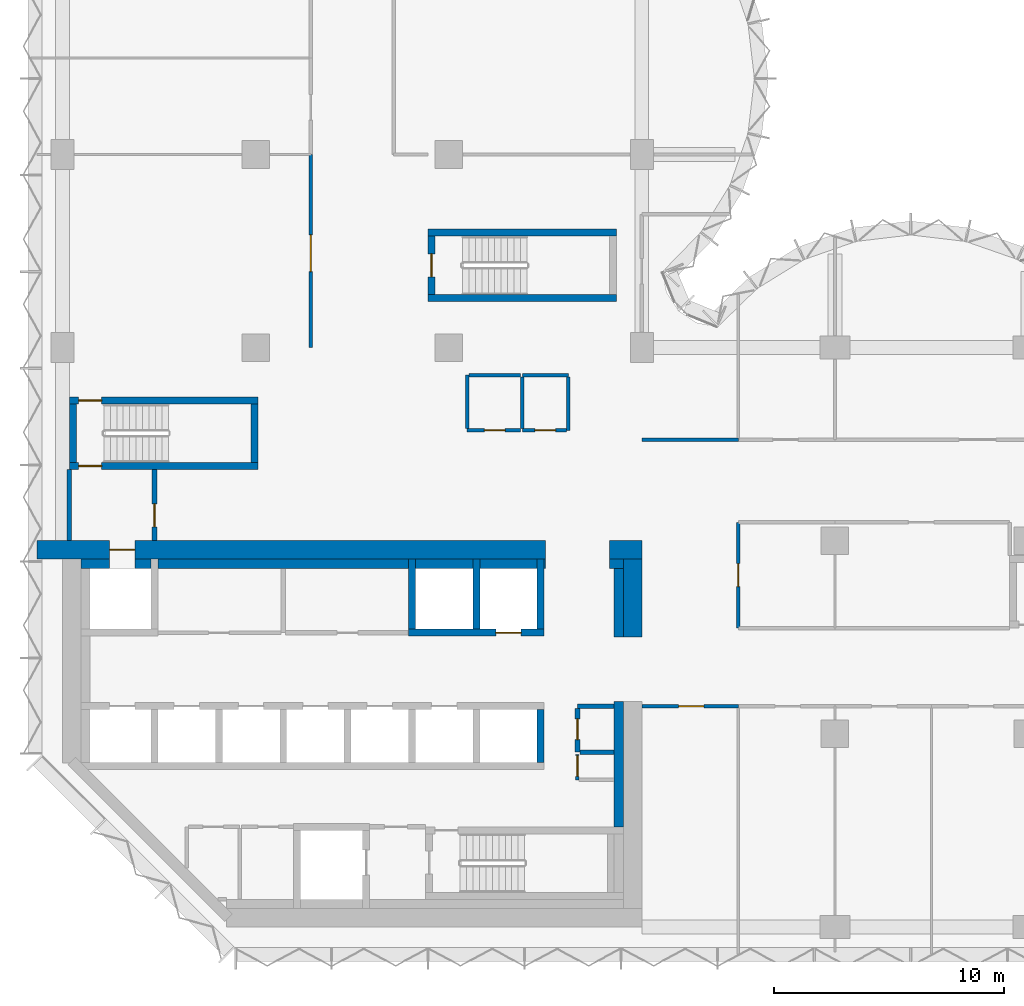
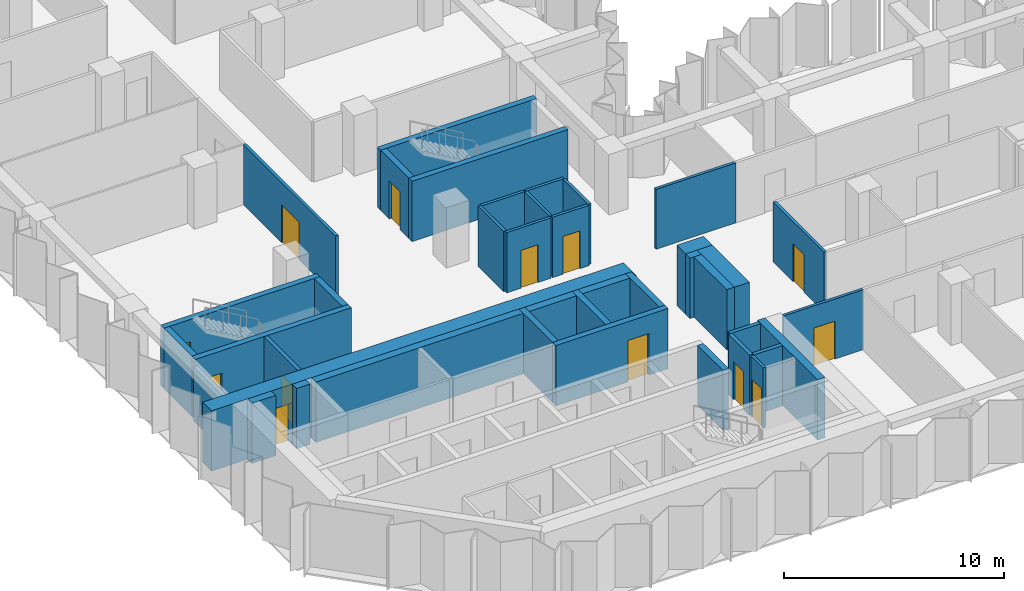
# One storey, part 8 of 13: 41 walls, 13 doors, 13 openings.
"""IFC4 building model written with IfcOpenShell, lengths in metres."""

from ifc_helpers import new_model, si_unit, direction, frame, frame_2d, origin, place, context, subcontext, project, spatial, rectangle, extrude, material, layer, layer_set, type_object, element, fill, save


model = new_model("IFC4")

# Units and contexts
model_context = context("Model", 3, precision=1e-05, world=origin(), true_north=direction((0.0, 1.0)))
body_context = subcontext(model_context, "Body", "Model", "MODEL_VIEW")
ifc_project = project(units=[si_unit("LENGTHUNIT", "METRE"), si_unit("AREAUNIT", "SQUARE_METRE"), si_unit("VOLUMEUNIT", "CUBIC_METRE"), si_unit("PLANEANGLEUNIT", "RADIAN"), si_unit("MASSUNIT", "GRAM", prefix="KILO")], contexts=[model_context])

# Site, building, storey
site_placement = place(None, origin())
site = spatial("IfcSite", under=ifc_project, at=site_placement, CompositionType="ELEMENT")
building_placement = place(site_placement, origin())
building = spatial("IfcBuilding", under=site, at=building_placement, Name="Brevane Broadcast Tower", CompositionType="ELEMENT")
storey_placement = place(building_placement, frame((0.0, 0.0, 127.699951171875)))
storey = spatial("IfcBuildingStorey", under=building, at=storey_placement, Name="L31", CompositionType="ELEMENT", Elevation=127.699951171875)

# Walls
ifc_material_1 = material(Name="Concrete C32/40", Category="concrete")
ifc_layer_1 = layer(ifc_material_1, 0.39990234375)
ifc_layer_set_1 = layer_set([ifc_layer_1], Name="Core chase wall 400 mm")
wall_type_1 = type_object("IfcWallType", Name="Core chase wall 400 mm", PredefinedType="PARTITIONING", material=ifc_layer_set_1)
wall_1_placement = place(storey_placement, frame((24.199951171875, 12.60009765625, 0.0), z_axis=(0.0, 0.0, 1.0), x_axis=(0.0, 1.0, 0.0)))
element("IfcWall", 1, at=wall_1_placement, inside=storey, type_object=wall_type_1, Name="L31 chase wall LE2", PredefinedType="PARTITIONING", context=body_context, shape_type="SweptSolid", body=[
    extrude(rectangle(XDim=3.0, YDim=0.39990234375, at=frame_2d((1.5, 0.0))), origin(), (0.0, 0.0, 1.0), 3.35009765625),
])
wall_2_placement = place(storey_placement, frame((0.800048828125, 15.800048828125, 0.0), z_axis=(0.0, 0.0, 1.0), x_axis=(1.0, 0.0, 0.0)))
element("IfcWall", 2, at=wall_2_placement, inside=storey, type_object=wall_type_1, Name="L31 chase wall LN0", PredefinedType="PARTITIONING", context=body_context, shape_type="SweptSolid", body=[
    extrude(rectangle(XDim=1.25, YDim=0.39990234375, at=frame_2d((0.625, 0.0))), origin(), (0.0, 0.0, 1.0), 3.35009765625),
])
wall_3_placement = place(storey_placement, frame((23.800048828125, 15.800048828125, 0.0), z_axis=(0.0, 0.0, 1.0), x_axis=(1.0, 0.0, 0.0)))
element("IfcWall", 3, at=wall_3_placement, inside=storey, type_object=wall_type_1, Name="L31 chase wall LN2", PredefinedType="PARTITIONING", context=body_context, shape_type="SweptSolid", body=[
    extrude(rectangle(XDim=0.599853515625, YDim=0.39990234375, at=frame_2d((0.2998046875, 0.0))), origin(), (0.0, 0.0, 1.0), 3.35009765625),
])
wall_4_placement = place(storey_placement, frame((3.14990234375, 15.800048828125, 0.0), z_axis=(0.0, 0.0, 1.0), x_axis=(1.0, 0.0, 0.0)))
element("IfcWall", 4, at=wall_4_placement, inside=storey, type_object=wall_type_1, Name="L31 chase wall LN1-1", PredefinedType="PARTITIONING", context=body_context, shape_type="SweptSolid", body=[
    extrude(rectangle(XDim=0.7001953125, YDim=0.39990234375, at=frame_2d((0.35009765625, 0.0))), origin(), (0.0, 0.0, 1.0), 3.35009765625),
])
wall_5_placement = place(storey_placement, frame((4.14990234375, 15.800048828125, 0.0), z_axis=(0.0, 0.0, 1.0), x_axis=(1.0, 0.0, 0.0)))
element("IfcWall", 5, at=wall_5_placement, inside=storey, type_object=wall_type_1, Name="L31 chase wall LN1-2-1", PredefinedType="PARTITIONING", context=body_context, shape_type="SweptSolid", body=[
    extrude(rectangle(XDim=10.900146484375, YDim=0.39990234375, at=frame_2d((5.4501953125, 0.0))), origin(), (0.0, 0.0, 1.0), 3.35009765625),
])
for number, where, z_axis, x_axis, name in (
    (6, (15.35009765625, 15.800048828125, 0.0), (0.0, 0.0, 1.0), (1.0, 0.0, 0.0), "L31 chase wall LN1-2-2-1"),
    (7, (18.14990234375, 15.800048828125, 0.0), (0.0, 0.0, 1.0), (1.0, 0.0, 0.0), "L31 chase wall LN1-2-2-2-1"),
):
    element("IfcWall", number, at=place(storey_placement, frame(where, z_axis=z_axis, x_axis=x_axis)), inside=storey, type_object=wall_type_1, Name=name, PredefinedType="PARTITIONING", context=body_context, shape_type="SweptSolid", body=[
        extrude(rectangle(XDim=2.5, YDim=0.39990234375, at=frame_2d((1.25, 0.0))), origin(), (0.0, 0.0, 1.0), 3.35009765625),
    ])
wall_6_placement = place(storey_placement, frame((20.949951171875, 15.800048828125, 0.0), z_axis=(0.0, 0.0, 1.0), x_axis=(1.0, 0.0, 0.0)))
element("IfcWall", 8, at=wall_6_placement, inside=storey, type_object=wall_type_1, Name="L31 chase wall LN1-2-2-2-2", PredefinedType="PARTITIONING", context=body_context, shape_type="SweptSolid", body=[
    extrude(rectangle(XDim=0.050048828125, YDim=0.39990234375, at=frame_2d((0.02490234375, 0.0))), origin(), (0.0, 0.0, 1.0), 3.35009765625),
])
wall_7_placement = place(storey_placement, frame((24.199951171875, 4.35009765625, 0.0), z_axis=(0.0, 0.0, 1.0), x_axis=(0.0, 1.0, 0.0)))
element("IfcWall", 9, at=wall_7_placement, inside=storey, type_object=wall_type_1, Name="L31 chase wall LE1-2-2", PredefinedType="PARTITIONING", context=body_context, shape_type="SweptSolid", body=[
    extrude(rectangle(XDim=5.449951171875, YDim=0.39990234375, at=frame_2d((2.72509765625, 0.0))), origin(), (0.0, 0.0, 1.0), 3.35009765625),
])
ifc_material_2 = material(Name="Gypsum board on steel studs", Category="steel")
ifc_layer_2 = layer(ifc_material_2, 0.14990234375)
ifc_layer_set_2 = layer_set([ifc_layer_2], Name="Core fire partition 150 mm")
wall_type_2 = type_object("IfcWallType", Name="Core fire partition 150 mm", PredefinedType="PARTITIONING", material=ifc_layer_set_2)
wall_8_placement = place(storey_placement, frame((20.0, 24.0, 0.0), z_axis=(0.0, 0.0, 1.0), x_axis=(1.0, 0.0, 0.0)))
element("IfcWall", 10, at=wall_8_placement, inside=storey, type_object=wall_type_2, Name="L31 partition wall P15", PredefinedType="PARTITIONING", context=body_context, shape_type="SweptSolid", body=[
    extrude(rectangle(XDim=2.0, YDim=0.14990234375, at=frame_2d((1.0, 0.0))), origin(), (0.0, 0.0, 1.0), 3.35009765625),
])
wall_9_placement = place(storey_placement, frame((22.0, 23.925048828125, 0.0), z_axis=(0.0, 0.0, 1.0), x_axis=(0.0, -1.0, 0.0)))
element("IfcWall", 11, at=wall_9_placement, inside=storey, type_object=wall_type_2, Name="L31 partition wall P16", PredefinedType="PARTITIONING", context=body_context, shape_type="SweptSolid", body=[
    extrude(rectangle(XDim=2.324951171875, YDim=0.14990234375, at=frame_2d((1.16259765625, 0.0))), origin(), (0.0, 0.0, 1.0), 3.35009765625),
])

# Wall, opening, door
wall_10_placement = place(storey_placement, frame((21.925048828125, 21.60009765625, 0.0), z_axis=(0.0, 0.0, 1.0), x_axis=(-1.0, 0.0, 0.0)))
wall_10 = element("IfcWall", 12, at=wall_10_placement, inside=storey, type_object=wall_type_2, Name="L31 partition wall P17", PredefinedType="PARTITIONING", context=body_context, shape_type="SweptSolid", body=[
    extrude(rectangle(XDim=1.925048828125, YDim=0.14990234375, at=frame_2d((0.96240234375, 0.0))), origin(), (0.0, 0.0, 1.0), 3.35009765625),
])
opening_1_placement = place(wall_10_placement, frame((0.47509765625, 0.0, 0.0)))
opening_1 = element("IfcOpeningElement", 13, at=opening_1_placement, cuts=wall_10, Name="Opening L31-K24", PredefinedType="OPENING", context=body_context, shape_type="SweptSolid", body=[
    extrude(rectangle(XDim=0.89990234375, YDim=2.10009765625, at=frame_2d((0.449951171875, 1.050048828125))), frame((0.0, 0.0849609375, 0.0), z_axis=(0.0, -1.0, 0.0), x_axis=(1.0, 0.0, 0.0)), (0.0, 0.0, 1.0), 0.169921875),
])
ifc_material_3 = material(Name="Timber", Category="wood")
door_type_1 = type_object("IfcDoorType", Name="Toilet door 900 x 2100", OperationType="SINGLE_SWING_LEFT", PredefinedType="DOOR", material=ifc_material_3)
door_1_placement = place(opening_1_placement, origin())
door_1 = element("IfcDoor", 14, at=door_1_placement, inside=storey, type_object=door_type_1, Name="Door L31-K24", OperationType="SINGLE_SWING_LEFT", OverallHeight=2.10009765625, OverallWidth=0.89990234375, PredefinedType="DOOR", context=body_context, shape_type="SweptSolid", body=[
    extrude(rectangle(XDim=0.89990234375, YDim=2.10009765625, at=frame_2d((0.449951171875, 1.050048828125))), frame((0.0, 0.02490234375, 0.0), z_axis=(0.0, -1.0, 0.0), x_axis=(1.0, 0.0, 0.0)), (0.0, 0.0, 1.0), 0.050048828125),
])
fill(opening_1, door_1)

# Wall
wall_11_placement = place(storey_placement, frame((20.0, 21.675048828125, 0.0), z_axis=(0.0, 0.0, 1.0), x_axis=(0.0, 1.0, 0.0)))
element("IfcWall", 15, at=wall_11_placement, inside=storey, type_object=wall_type_2, Name="L31 partition wall P18", PredefinedType="PARTITIONING", context=body_context, shape_type="SweptSolid", body=[
    extrude(rectangle(XDim=2.25, YDim=0.14990234375, at=frame_2d((1.125, 0.0))), origin(), (0.0, 0.0, 1.0), 3.35009765625),
])

# Wall, opening, door
wall_12_placement = place(storey_placement, frame((19.925048828125, 21.60009765625, 0.0), z_axis=(0.0, 0.0, 1.0), x_axis=(-1.0, 0.0, 0.0)))
wall_12 = element("IfcWall", 16, at=wall_12_placement, inside=storey, type_object=wall_type_2, Name="L31 partition wall P19", PredefinedType="PARTITIONING", context=body_context, shape_type="SweptSolid", body=[
    extrude(rectangle(XDim=2.324951171875, YDim=0.14990234375, at=frame_2d((1.16259765625, 0.0))), origin(), (0.0, 0.0, 1.0), 3.35009765625),
])
opening_2_placement = place(wall_12_placement, frame((0.675048828125, 0.0, 0.0)))
opening_2 = element("IfcOpeningElement", 17, at=opening_2_placement, cuts=wall_12, Name="Opening L31-K25", PredefinedType="OPENING", context=body_context, shape_type="SweptSolid", body=[
    extrude(rectangle(XDim=0.89990234375, YDim=2.10009765625, at=frame_2d((0.449951171875, 1.050048828125))), frame((0.0, 0.0849609375, 0.0), z_axis=(0.0, -1.0, 0.0), x_axis=(1.0, 0.0, 0.0)), (0.0, 0.0, 1.0), 0.169921875),
])
ifc_material_4 = material(Name="Steel", Category="steel")
door_type_2 = type_object("IfcDoorType", Name="Service room door 900 x 2100", OperationType="SINGLE_SWING_LEFT", PredefinedType="DOOR", material=ifc_material_4)
door_2_placement = place(opening_2_placement, origin())
door_2 = element("IfcDoor", 18, at=door_2_placement, inside=storey, type_object=door_type_2, Name="Door L31-K25", OperationType="SINGLE_SWING_RIGHT", OverallHeight=2.10009765625, OverallWidth=0.89990234375, PredefinedType="DOOR", context=body_context, shape_type="SweptSolid", body=[
    extrude(rectangle(XDim=0.89990234375, YDim=2.10009765625, at=frame_2d((0.449951171875, 1.050048828125))), frame((0.0, 0.02490234375, 0.0), z_axis=(0.0, -1.0, 0.0), x_axis=(1.0, 0.0, 0.0)), (0.0, 0.0, 1.0), 0.050048828125),
])
fill(opening_2, door_2)

# Walls
wall_13_placement = place(storey_placement, frame((17.60009765625, 21.675048828125, 0.0), z_axis=(0.0, 0.0, 1.0), x_axis=(0.0, 1.0, 0.0)))
element("IfcWall", 19, at=wall_13_placement, inside=storey, type_object=wall_type_2, Name="L31 partition wall P20", PredefinedType="PARTITIONING", context=body_context, shape_type="SweptSolid", body=[
    extrude(rectangle(XDim=2.324951171875, YDim=0.14990234375, at=frame_2d((1.16259765625, 0.0))), origin(), (0.0, 0.0, 1.0), 3.35009765625),
])
wall_14_placement = place(storey_placement, frame((17.675048828125, 24.0, 0.0), z_axis=(0.0, 0.0, 1.0), x_axis=(1.0, 0.0, 0.0)))
element("IfcWall", 20, at=wall_14_placement, inside=storey, type_object=wall_type_2, Name="L31 partition wall P21", PredefinedType="PARTITIONING", context=body_context, shape_type="SweptSolid", body=[
    extrude(rectangle(XDim=2.25, YDim=0.14990234375, at=frame_2d((1.125, 0.0))), origin(), (0.0, 0.0, 1.0), 3.35009765625),
])

# Wall, opening, door
wall_15_placement = place(storey_placement, frame((22.39990234375, 7.5, 0.0), z_axis=(0.0, 0.0, 1.0), x_axis=(0.0, -1.0, 0.0)))
wall_15 = element("IfcWall", 21, at=wall_15_placement, inside=storey, type_object=wall_type_2, Name="L31 partition wall P22", PredefinedType="PARTITIONING", context=body_context, shape_type="SweptSolid", body=[
    extrude(rectangle(XDim=1.10009765625, YDim=0.14990234375, at=frame_2d((0.550048828125, 0.0))), origin(), (0.0, 0.0, 1.0), 3.35009765625),
])
opening_3_placement = place(wall_15_placement, frame((0.050048828125, 0.0, 0.0)))
opening_3 = element("IfcOpeningElement", 22, at=opening_3_placement, cuts=wall_15, Name="Opening L31-K19", PredefinedType="OPENING", context=body_context, shape_type="SweptSolid", body=[
    extrude(rectangle(XDim=0.89990234375, YDim=2.10009765625, at=frame_2d((0.449951171875, 1.050048828125))), frame((0.0, 0.0849609375, 0.0), z_axis=(0.0, -1.0, 0.0), x_axis=(1.0, 0.0, 0.0)), (0.0, 0.0, 1.0), 0.169921875),
])
door_3_placement = place(opening_3_placement, origin())
door_3 = element("IfcDoor", 23, at=door_3_placement, inside=storey, type_object=door_type_2, Name="Door L31-K19", OperationType="SINGLE_SWING_RIGHT", OverallHeight=2.10009765625, OverallWidth=0.89990234375, PredefinedType="DOOR", context=body_context, shape_type="SweptSolid", body=[
    extrude(rectangle(XDim=0.89990234375, YDim=2.10009765625, at=frame_2d((0.449951171875, 1.050048828125))), frame((0.0, 0.02490234375, 0.0), z_axis=(0.0, -1.0, 0.0), x_axis=(1.0, 0.0, 0.0)), (0.0, 0.0, 1.0), 0.050048828125),
])
fill(opening_3, door_3)

# Wall
ifc_layer_3 = layer(ifc_material_2, 0.199951171875)
ifc_layer_set_3 = layer_set([ifc_layer_3], Name="Core fire partition 200 mm")
wall_type_3 = type_object("IfcWallType", Name="Core fire partition 200 mm", PredefinedType="PARTITIONING", material=ifc_layer_set_3)
wall_16_placement = place(storey_placement, frame((0.300048828125, 16.81201171875, 0.0), z_axis=(0.0, 0.0, 1.0), x_axis=(0.0, 1.0, 0.0)))
element("IfcWall", 24, at=wall_16_placement, inside=storey, type_object=wall_type_3, Name="L31 partition wall P01", PredefinedType="PARTITIONING", context=body_context, shape_type="SweptSolid", body=[
    extrude(rectangle(XDim=3.075927734375, YDim=0.199951171875, at=frame_2d((1.5380859375, 0.0))), origin(), (0.0, 0.0, 1.0), 2.97998046875),
])

# Wall, opening, door
wall_17_placement = place(storey_placement, frame((4.0, 19.887939453125, 0.0), z_axis=(0.0, 0.0, 1.0), x_axis=(0.0, -1.0, 0.0)))
wall_17 = element("IfcWall", 25, at=wall_17_placement, inside=storey, type_object=wall_type_3, Name="L31 partition wall P02", PredefinedType="PARTITIONING", context=body_context, shape_type="SweptSolid", body=[
    extrude(rectangle(XDim=3.075927734375, YDim=0.199951171875, at=frame_2d((1.5380859375, 0.0))), origin(), (0.0, 0.0, 1.0), 3.35009765625),
])
opening_4_placement = place(wall_17_placement, frame((1.488037109375, 0.0, 0.0)))
opening_4 = element("IfcOpeningElement", 26, at=opening_4_placement, cuts=wall_17, Name="Opening L31-K23", PredefinedType="OPENING", context=body_context, shape_type="SweptSolid", body=[
    extrude(rectangle(XDim=1.0, YDim=2.10009765625, at=frame_2d((0.5, 1.050048828125))), frame((0.0, 0.10986328125, 0.0), z_axis=(0.0, -1.0, 0.0), x_axis=(1.0, 0.0, 0.0)), (0.0, 0.0, 1.0), 0.219970703125),
])
door_type_3 = type_object("IfcDoorType", Name="Stair door 1000 x 2100", OperationType="SINGLE_SWING_LEFT", PredefinedType="DOOR", material=ifc_material_4)
door_4_placement = place(opening_4_placement, origin())
door_4 = element("IfcDoor", 27, at=door_4_placement, inside=storey, type_object=door_type_3, Name="Door L31-K23", OperationType="SINGLE_SWING_RIGHT", OverallHeight=2.10009765625, OverallWidth=1.0, PredefinedType="DOOR", context=body_context, shape_type="SweptSolid", body=[
    extrude(rectangle(XDim=1.0, YDim=2.10009765625, at=frame_2d((0.5, 1.050048828125))), frame((0.0, 0.02490234375, 0.0), z_axis=(0.0, -1.0, 0.0), x_axis=(1.0, 0.0, 0.0)), (0.0, 0.0, 1.0), 0.050048828125),
])
fill(opening_4, door_4)

# Wall
wall_18_placement = place(storey_placement, frame((23.988037109375, 9.60009765625, 0.0), z_axis=(0.0, 0.0, 1.0), x_axis=(-1.0, 0.0, 0.0)))
element("IfcWall", 28, at=wall_18_placement, inside=storey, type_object=wall_type_3, Name="L31 partition wall P06", PredefinedType="PARTITIONING", context=body_context, shape_type="SweptSolid", body=[
    extrude(rectangle(XDim=1.588134765625, YDim=0.199951171875, at=frame_2d((0.7939453125, 0.0))), origin(), (0.0, 0.0, 1.0), 3.35009765625),
])

# Wall, opening, door
wall_19_placement = place(storey_placement, frame((22.39990234375, 9.5, 0.0), z_axis=(0.0, 0.0, 1.0), x_axis=(0.0, -1.0, 0.0)))
wall_19 = element("IfcWall", 29, at=wall_19_placement, inside=storey, type_object=wall_type_3, Name="L31 partition wall P07", PredefinedType="PARTITIONING", context=body_context, shape_type="SweptSolid", body=[
    extrude(rectangle(XDim=1.89990234375, YDim=0.199951171875, at=frame_2d((0.949951171875, 0.0))), origin(), (0.0, 0.0, 1.0), 3.35009765625),
])
opening_5_placement = place(wall_19_placement, frame((0.449951171875, 0.0, 0.0)))
opening_5 = element("IfcOpeningElement", 30, at=opening_5_placement, cuts=wall_19, Name="Opening L31-K20", PredefinedType="OPENING", context=body_context, shape_type="SweptSolid", body=[
    extrude(rectangle(XDim=0.89990234375, YDim=2.10009765625, at=frame_2d((0.449951171875, 1.050048828125))), frame((0.0, 0.10986328125, 0.0), z_axis=(0.0, -1.0, 0.0), x_axis=(1.0, 0.0, 0.0)), (0.0, 0.0, 1.0), 0.219970703125),
])
door_5_placement = place(opening_5_placement, origin())
door_5 = element("IfcDoor", 31, at=door_5_placement, inside=storey, type_object=door_type_2, Name="Door L31-K20", OperationType="SINGLE_SWING_LEFT", OverallHeight=2.10009765625, OverallWidth=0.89990234375, PredefinedType="DOOR", context=body_context, shape_type="SweptSolid", body=[
    extrude(rectangle(XDim=0.89990234375, YDim=2.10009765625, at=frame_2d((0.449951171875, 1.050048828125))), frame((0.0, 0.02490234375, 0.0), z_axis=(0.0, -1.0, 0.0), x_axis=(1.0, 0.0, 0.0)), (0.0, 0.0, 1.0), 0.050048828125),
])
fill(opening_5, door_5)

# Walls
wall_20_placement = place(storey_placement, frame((22.5, 7.60009765625, 0.0), z_axis=(0.0, 0.0, 1.0), x_axis=(1.0, 0.0, 0.0)))
element("IfcWall", 32, at=wall_20_placement, inside=storey, type_object=wall_type_3, Name="L31 partition wall P08", PredefinedType="PARTITIONING", context=body_context, shape_type="SweptSolid", body=[
    extrude(rectangle(XDim=1.488037109375, YDim=0.199951171875, at=frame_2d((0.744140625, 0.0))), origin(), (0.0, 0.0, 1.0), 3.35009765625),
])
ifc_material_5 = material(Name="Concrete C60/75", Category="concrete")
ifc_layer_4 = layer(ifc_material_5, 0.300048828125)
ifc_layer_set_4 = layer_set([ifc_layer_4], Name="Core wall 300 mm C60/75")
wall_type_4 = type_object("IfcWallType", Name="Core wall 300 mm C60/75", PredefinedType="SHEAR", material=ifc_layer_set_4)
wall_21_placement = place(storey_placement, frame((20.800048828125, 7.14990234375, 0.0), z_axis=(0.0, 0.0, 1.0), x_axis=(0.0, 1.0, 0.0)))
element("IfcWall", 33, at=wall_21_placement, inside=storey, type_object=wall_type_4, Name="L31 shaft wall SH-S-P208", PredefinedType="SHEAR", context=body_context, shape_type="SweptSolid", body=[
    extrude(rectangle(XDim=2.300048828125, YDim=0.300048828125, at=frame_2d((1.14990234375, 0.0))), origin(), (0.0, 0.0, 1.0), 3.35009765625),
])

# Wall, opening, door
wall_22_placement = place(storey_placement, frame((15.050048828125, 12.800048828125, 0.0), z_axis=(0.0, 0.0, 1.0), x_axis=(1.0, 0.0, 0.0)))
wall_22 = element("IfcWall", 34, at=wall_22_placement, inside=storey, type_object=wall_type_4, Name="L31 shaft wall SH-N152-front", PredefinedType="SHEAR", context=body_context, shape_type="SweptSolid", body=[
    extrude(rectangle(XDim=5.89990234375, YDim=0.300048828125, at=frame_2d((2.949951171875, 0.0))), origin(), (0.0, 0.0, 1.0), 3.35009765625),
])
opening_6_placement = place(wall_22_placement, frame((3.800048828125, 0.0, 0.0)))
opening_6 = element("IfcOpeningElement", 35, at=opening_6_placement, cuts=wall_22, Name="Opening LD", PredefinedType="OPENING", context=body_context, shape_type="SweptSolid", body=[
    extrude(rectangle(XDim=1.10009765625, YDim=2.300048828125, at=frame_2d((0.550048828125, 1.14990234375))), frame((0.0, 0.159912109375, 0.0), z_axis=(0.0, -1.0, 0.0), x_axis=(1.0, 0.0, 0.0)), (0.0, 0.0, 1.0), 0.320068359375),
])
ifc_material_6 = material(Name="Stainless steel", Category="steel")
door_type_4 = type_object("IfcDoorType", Name="Lift landing door", OperationType="SLIDING_TO_LEFT", PredefinedType="DOOR", material=ifc_material_6)
door_6_placement = place(opening_6_placement, origin())
door_6 = element("IfcDoor", 36, at=door_6_placement, inside=storey, type_object=door_type_4, Name="Landing door SL1 L31", OperationType="SLIDING_TO_LEFT", OverallHeight=2.300048828125, OverallWidth=1.10009765625, PredefinedType="DOOR", context=body_context, shape_type="SweptSolid", body=[
    extrude(rectangle(XDim=1.10009765625, YDim=2.300048828125, at=frame_2d((0.550048828125, 1.14990234375))), frame((0.0, 0.02490234375, 0.0), z_axis=(0.0, -1.0, 0.0), x_axis=(1.0, 0.0, 0.0)), (0.0, 0.0, 1.0), 0.050048828125),
])
fill(opening_6, door_6)

# Walls
for number, where, z_axis, x_axis, name in (
    (37, (15.199951171875, 12.949951171875, 0.0), (0.0, 0.0, 1.0), (0.0, 1.0, 0.0), "L31 shaft wall SH-N-P152"),
    (38, (18.0, 12.949951171875, 0.0), (0.0, 0.0, 1.0), (0.0, 1.0, 0.0), "L31 shaft wall SH-N-P180"),
    (39, (20.800048828125, 12.949951171875, 0.0), (0.0, 0.0, 1.0), (0.0, 1.0, 0.0), "L31 shaft wall SH-N-P208"),
):
    element("IfcWall", number, at=place(storey_placement, frame(where, z_axis=z_axis, x_axis=x_axis)), inside=storey, type_object=wall_type_4, Name=name, PredefinedType="SHEAR", context=body_context, shape_type="SweptSolid", body=[
        extrude(rectangle(XDim=3.050048828125, YDim=0.300048828125, at=frame_2d((1.52490234375, 0.0))), origin(), (0.0, 0.0, 1.0), 3.35009765625),
    ])

# Wall, opening, door
wall_23_placement = place(storey_placement, frame((8.5, 20.050048828125, 0.0), z_axis=(0.0, 0.0, 1.0), x_axis=(-1.0, 0.0, 0.0)))
wall_23 = element("IfcWall", 40, at=wall_23_placement, inside=storey, type_object=wall_type_4, Name="L31 stair wall ST-1-S", PredefinedType="SHEAR", context=body_context, shape_type="SweptSolid", body=[
    extrude(rectangle(XDim=8.199951171875, YDim=0.300048828125, at=frame_2d((4.10009765625, 0.0))), origin(), (0.0, 0.0, 1.0), 3.35009765625),
])
opening_7_placement = place(wall_23_placement, frame((6.800048828125, 0.0, 0.0)))
opening_7 = element("IfcOpeningElement", 41, at=opening_7_placement, cuts=wall_23, Name="Opening L31-K10", PredefinedType="OPENING", context=body_context, shape_type="SweptSolid", body=[
    extrude(rectangle(XDim=1.0, YDim=2.10009765625, at=frame_2d((0.5, 1.050048828125))), frame((0.0, 0.159912109375, 0.0), z_axis=(0.0, -1.0, 0.0), x_axis=(1.0, 0.0, 0.0)), (0.0, 0.0, 1.0), 0.320068359375),
])
door_7_placement = place(opening_7_placement, origin())
door_7 = element("IfcDoor", 42, at=door_7_placement, inside=storey, type_object=door_type_3, Name="Door L31-K10", OperationType="SINGLE_SWING_LEFT", OverallHeight=2.10009765625, OverallWidth=1.0, PredefinedType="DOOR", context=body_context, shape_type="SweptSolid", body=[
    extrude(rectangle(XDim=1.0, YDim=2.10009765625, at=frame_2d((0.5, 1.050048828125))), frame((0.0, 0.02490234375, 0.0), z_axis=(0.0, -1.0, 0.0), x_axis=(1.0, 0.0, 0.0)), (0.0, 0.0, 1.0), 0.050048828125),
])
fill(opening_7, door_7)

wall_24_placement = place(storey_placement, frame((0.300048828125, 22.89990234375, 0.0), z_axis=(0.0, 0.0, 1.0), x_axis=(1.0, 0.0, 0.0)))
wall_24 = element("IfcWall", 43, at=wall_24_placement, inside=storey, type_object=wall_type_4, Name="L31 stair wall ST-1-N", PredefinedType="SHEAR", context=body_context, shape_type="SweptSolid", body=[
    extrude(rectangle(XDim=8.199951171875, YDim=0.300048828125, at=frame_2d((4.10009765625, 0.0))), origin(), (0.0, 0.0, 1.0), 3.35009765625),
])
opening_8_placement = place(wall_24_placement, frame((0.39990234375, 0.0, 0.0)))
opening_8 = element("IfcOpeningElement", 44, at=opening_8_placement, cuts=wall_24, Name="Opening L31-K11", PredefinedType="OPENING", context=body_context, shape_type="SweptSolid", body=[
    extrude(rectangle(XDim=1.0, YDim=2.10009765625, at=frame_2d((0.5, 1.050048828125))), frame((0.0, 0.159912109375, 0.0), z_axis=(0.0, -1.0, 0.0), x_axis=(1.0, 0.0, 0.0)), (0.0, 0.0, 1.0), 0.320068359375),
])
door_8_placement = place(opening_8_placement, origin())
door_8 = element("IfcDoor", 45, at=door_8_placement, inside=storey, type_object=door_type_3, Name="Door L31-K11", OperationType="SINGLE_SWING_RIGHT", OverallHeight=2.10009765625, OverallWidth=1.0, PredefinedType="DOOR", context=body_context, shape_type="SweptSolid", body=[
    extrude(rectangle(XDim=1.0, YDim=2.10009765625, at=frame_2d((0.5, 1.050048828125))), frame((0.0, 0.02490234375, 0.0), z_axis=(0.0, -1.0, 0.0), x_axis=(1.0, 0.0, 0.0)), (0.0, 0.0, 1.0), 0.050048828125),
])
fill(opening_8, door_8)

# Walls
for number, where, z_axis, x_axis, name in (
    (46, (0.449951171875, 20.199951171875, 0.0), (0.0, 0.0, 1.0), (0.0, 1.0, 0.0), "L31 stair wall ST-1-W"),
    (47, (8.35009765625, 20.199951171875, 0.0), (0.0, 0.0, 1.0), (0.0, 1.0, 0.0), "L31 stair wall ST-1-E"),
):
    element("IfcWall", number, at=place(storey_placement, frame(where, z_axis=z_axis, x_axis=x_axis)), inside=storey, type_object=wall_type_4, Name=name, PredefinedType="SHEAR", context=body_context, shape_type="SweptSolid", body=[
        extrude(rectangle(XDim=2.550048828125, YDim=0.300048828125, at=frame_2d((1.27490234375, 0.0))), origin(), (0.0, 0.0, 1.0), 3.35009765625),
    ])
for number, where, z_axis, x_axis, name in (
    (48, (15.89990234375, 27.35009765625, 0.0), (0.0, 0.0, 1.0), (1.0, 0.0, 0.0), "L31 stair wall ST-3-S"),
    (49, (15.89990234375, 30.199951171875, 0.0), (0.0, 0.0, 1.0), (1.0, 0.0, 0.0), "L31 stair wall ST-3-N"),
):
    element("IfcWall", number, at=place(storey_placement, frame(where, z_axis=z_axis, x_axis=x_axis)), inside=storey, type_object=wall_type_4, Name=name, PredefinedType="SHEAR", context=body_context, shape_type="SweptSolid", body=[
        extrude(rectangle(XDim=8.2001953125, YDim=0.300048828125, at=frame_2d((4.10009765625, 0.0))), origin(), (0.0, 0.0, 1.0), 3.35009765625),
    ])

# Wall, opening, door
wall_25_placement = place(storey_placement, frame((16.050048828125, 27.5, 0.0), z_axis=(0.0, 0.0, 1.0), x_axis=(0.0, 1.0, 0.0)))
wall_25 = element("IfcWall", 50, at=wall_25_placement, inside=storey, type_object=wall_type_4, Name="L31 stair wall ST-3-W", PredefinedType="SHEAR", context=body_context, shape_type="SweptSolid", body=[
    extrude(rectangle(XDim=2.550048828125, YDim=0.300048828125, at=frame_2d((1.27490234375, 0.0))), origin(), (0.0, 0.0, 1.0), 3.35009765625),
])
opening_9_placement = place(wall_25_placement, frame((0.77490234375, 0.0, 0.0)))
opening_9 = element("IfcOpeningElement", 51, at=opening_9_placement, cuts=wall_25, Name="Opening L31-K14", PredefinedType="OPENING", context=body_context, shape_type="SweptSolid", body=[
    extrude(rectangle(XDim=1.0, YDim=2.10009765625, at=frame_2d((0.5, 1.050048828125))), frame((0.0, 0.159912109375, 0.0), z_axis=(0.0, -1.0, 0.0), x_axis=(1.0, 0.0, 0.0)), (0.0, 0.0, 1.0), 0.320068359375),
])
door_9_placement = place(opening_9_placement, origin())
door_9 = element("IfcDoor", 52, at=door_9_placement, inside=storey, type_object=door_type_3, Name="Door L31-K14", OperationType="SINGLE_SWING_LEFT", OverallHeight=2.10009765625, OverallWidth=1.0, PredefinedType="DOOR", context=body_context, shape_type="SweptSolid", body=[
    extrude(rectangle(XDim=1.0, YDim=2.10009765625, at=frame_2d((0.5, 1.050048828125))), frame((0.0, 0.02490234375, 0.0), z_axis=(0.0, -1.0, 0.0), x_axis=(1.0, 0.0, 0.0)), (0.0, 0.0, 1.0), 0.050048828125),
])
fill(opening_9, door_9)

ifc_layer_5 = layer(ifc_material_5, 0.800048828125)
ifc_layer_set_5 = layer_set([ifc_layer_5], Name="Core wall 800 mm C60/75")
wall_type_5 = type_object("IfcWallType", Name="Core wall 800 mm C60/75", PredefinedType="SHEAR", material=ifc_layer_set_5)
wall_26_placement = place(storey_placement, frame((-1.10009765625, 16.39990234375, 0.0), z_axis=(0.0, 0.0, 1.0), x_axis=(1.0, 0.0, 0.0)))
wall_26 = element("IfcWall", 53, at=wall_26_placement, inside=storey, type_object=wall_type_5, Name="L31 outer wall WN1", PredefinedType="SHEAR", context=body_context, shape_type="SweptSolid", body=[
    extrude(rectangle(XDim=22.10009765625, YDim=0.800048828125, at=frame_2d((11.050048828125, 0.0))), origin(), (0.0, 0.0, 1.0), 3.35009765625),
])
opening_10_placement = place(wall_26_placement, frame((3.14990234375, 0.0, 0.0)))
opening_10 = element("IfcOpeningElement", 54, at=opening_10_placement, cuts=wall_26, Name="Opening LD", PredefinedType="OPENING", context=body_context, shape_type="SweptSolid", body=[
    extrude(rectangle(XDim=1.10009765625, YDim=2.300048828125, at=frame_2d((0.550048828125, 1.14990234375))), frame((0.0, 0.409912109375, 0.0), z_axis=(0.0, -1.0, 0.0), x_axis=(1.0, 0.0, 0.0)), (0.0, 0.0, 1.0), 0.820068359375),
])
door_10_placement = place(opening_10_placement, origin())
door_10 = element("IfcDoor", 55, at=door_10_placement, inside=storey, type_object=door_type_4, Name="Landing door FF1 L31", OperationType="SLIDING_TO_LEFT", OverallHeight=2.300048828125, OverallWidth=1.10009765625, PredefinedType="DOOR", context=body_context, shape_type="SweptSolid", body=[
    extrude(rectangle(XDim=1.10009765625, YDim=2.300048828125, at=frame_2d((0.550048828125, 1.14990234375))), frame((0.0, 0.02490234375, 0.0), z_axis=(0.0, -1.0, 0.0), x_axis=(1.0, 0.0, 0.0)), (0.0, 0.0, 1.0), 0.050048828125),
])
fill(opening_10, door_10)

# Walls
wall_27_placement = place(storey_placement, frame((23.800048828125, 16.39990234375, 0.0), z_axis=(0.0, 0.0, 1.0), x_axis=(1.0, 0.0, 0.0)))
element("IfcWall", 56, at=wall_27_placement, inside=storey, type_object=wall_type_5, Name="L31 outer wall WN2", PredefinedType="SHEAR", context=body_context, shape_type="SweptSolid", body=[
    extrude(rectangle(XDim=1.39990234375, YDim=0.800048828125, at=frame_2d((0.699951171875, 0.0))), origin(), (0.0, 0.0, 1.0), 3.35009765625),
])
wall_28_placement = place(storey_placement, frame((24.800048828125, 12.60009765625, 0.0), z_axis=(0.0, 0.0, 1.0), x_axis=(0.0, 1.0, 0.0)))
element("IfcWall", 57, at=wall_28_placement, inside=storey, type_object=wall_type_5, Name="L31 outer wall WE2", PredefinedType="SHEAR", context=body_context, shape_type="SweptSolid", body=[
    extrude(rectangle(XDim=3.39990234375, YDim=0.800048828125, at=frame_2d((1.699951171875, 0.0))), origin(), (0.0, 0.0, 1.0), 3.35009765625),
])
ifc_material_7 = material(Name="Gypsum board partition")
ifc_layer_6 = layer(ifc_material_7, 0.14990234375)
ifc_layer_set_6 = layer_set([ifc_layer_6], Name="PARTITION 150 EI 60")
wall_type_6 = type_object("IfcWallType", Name="PARTITION 150 EI 60", PredefinedType="PARTITIONING", material=ifc_layer_set_6)
wall_29_placement = place(storey_placement, frame((25.199951171875, 21.199951171875, 0.0), z_axis=(0.0, 0.0, 1.0), x_axis=(1.0, 0.0, 0.0)))
element("IfcWall", 58, at=wall_29_placement, inside=storey, type_object=wall_type_6, Name="Partition G09-001", PredefinedType="PARTITIONING", context=body_context, shape_type="SweptSolid", body=[
    extrude(rectangle(XDim=4.199951171875, YDim=0.14990234375, at=frame_2d((2.10009765625, 0.0))), origin(), (0.0, 0.0, 1.0), 3.330078125),
])

# Wall, opening, door
wall_30_placement = place(storey_placement, frame((29.39990234375, 17.60009765625, 0.0), z_axis=(0.0, 0.0, 1.0), x_axis=(0.0, -1.0, 0.0)))
wall_30 = element("IfcWall", 59, at=wall_30_placement, inside=storey, type_object=wall_type_6, Name="Partition G09-002", PredefinedType="PARTITIONING", context=body_context, shape_type="SweptSolid", body=[
    extrude(rectangle(XDim=4.60009765625, YDim=0.14990234375, at=frame_2d((2.300048828125, 0.0))), origin(), (0.0, 0.0, 1.0), 3.330078125),
])
opening_11_placement = place(wall_30_placement, frame((1.800048828125, 0.0, 0.0)))
opening_11 = element("IfcOpeningElement", 60, at=opening_11_placement, cuts=wall_30, Name="Opening D16-003", PredefinedType="OPENING", context=body_context, shape_type="SweptSolid", body=[
    extrude(rectangle(XDim=1.0, YDim=2.10009765625, at=frame_2d((0.5, 1.050048828125))), frame((0.0, 0.0849609375, 0.0), z_axis=(0.0, -1.0, 0.0), x_axis=(1.0, 0.0, 0.0)), (0.0, 0.0, 1.0), 0.169921875),
])
ifc_material_8 = material(Name="Fire-rated timber door leaf", Category="wood")
door_type_5 = type_object("IfcDoorType", Name="DOOR SINGLE 1000 FD30S", OperationType="SINGLE_SWING_LEFT", PredefinedType="DOOR", material=ifc_material_8)
door_11_placement = place(opening_11_placement, origin())
door_11 = element("IfcDoor", 61, at=door_11_placement, inside=storey, type_object=door_type_5, Name="Door D16-003", OperationType="SINGLE_SWING_LEFT", OverallHeight=2.10009765625, OverallWidth=1.0, PredefinedType="DOOR", context=body_context, shape_type="SweptSolid", body=[
    extrude(rectangle(XDim=1.0, YDim=2.10009765625, at=frame_2d((0.5, 1.050048828125))), frame((0.0, 0.02490234375, 0.0), z_axis=(0.0, -1.0, 0.0), x_axis=(1.0, 0.0, 0.0)), (0.0, 0.0, 1.0), 0.050048828125),
])
fill(opening_11, door_11)

wall_31_placement = place(storey_placement, frame((29.39990234375, 9.60009765625, 0.0), z_axis=(0.0, 0.0, 1.0), x_axis=(-1.0, 0.0, 0.0)))
wall_31 = element("IfcWall", 62, at=wall_31_placement, inside=storey, type_object=wall_type_6, Name="Partition G09-003", PredefinedType="PARTITIONING", context=body_context, shape_type="SweptSolid", body=[
    extrude(rectangle(XDim=4.199951171875, YDim=0.14990234375, at=frame_2d((2.10009765625, 0.0))), origin(), (0.0, 0.0, 1.0), 3.330078125),
])
opening_12_placement = place(wall_31_placement, frame((1.5, 0.0, 0.0)))
opening_12 = element("IfcOpeningElement", 63, at=opening_12_placement, cuts=wall_31, Name="Opening D16-006", PredefinedType="OPENING", context=body_context, shape_type="SweptSolid", body=[
    extrude(rectangle(XDim=1.10009765625, YDim=2.10009765625, at=frame_2d((0.550048828125, 1.050048828125))), frame((0.0, 0.0849609375, 0.0), z_axis=(0.0, -1.0, 0.0), x_axis=(1.0, 0.0, 0.0)), (0.0, 0.0, 1.0), 0.169921875),
])
door_type_6 = type_object("IfcDoorType", Name="DOOR SINGLE 1100 FD30S", OperationType="SINGLE_SWING_LEFT", PredefinedType="DOOR", material=ifc_material_8)
door_12_placement = place(opening_12_placement, origin())
door_12 = element("IfcDoor", 64, at=door_12_placement, inside=storey, type_object=door_type_6, Name="Door D16-006", OperationType="SINGLE_SWING_LEFT", OverallHeight=2.10009765625, OverallWidth=1.10009765625, PredefinedType="DOOR", context=body_context, shape_type="SweptSolid", body=[
    extrude(rectangle(XDim=1.10009765625, YDim=2.10009765625, at=frame_2d((0.550048828125, 1.050048828125))), frame((0.0, 0.02490234375, 0.0), z_axis=(0.0, -1.0, 0.0), x_axis=(1.0, 0.0, 0.0)), (0.0, 0.0, 1.0), 0.050048828125),
])
fill(opening_12, door_12)

wall_32_placement = place(storey_placement, frame((10.800048828125, 25.199951171875, 0.0), z_axis=(0.0, 0.0, 1.0), x_axis=(0.0, 1.0, 0.0)))
wall_32 = element("IfcWall", 65, at=wall_32_placement, inside=storey, type_object=wall_type_6, Name="Partition G09-047", PredefinedType="PARTITIONING", context=body_context, shape_type="SweptSolid", body=[
    extrude(rectangle(XDim=8.400146484375, YDim=0.14990234375, at=frame_2d((4.2001953125, 0.0))), origin(), (0.0, 0.0, 1.0), 3.330078125),
])
opening_13_placement = place(wall_32_placement, frame((3.300048828125, 0.0, 0.0)))
opening_13 = element("IfcOpeningElement", 66, at=opening_13_placement, cuts=wall_32, Name="Opening D16-017", PredefinedType="OPENING", context=body_context, shape_type="SweptSolid", body=[
    extrude(rectangle(XDim=1.60009765625, YDim=2.10009765625, at=frame_2d((0.800048828125, 1.050048828125))), frame((0.0, 0.0849609375, 0.0), z_axis=(0.0, -1.0, 0.0), x_axis=(1.0, 0.0, 0.0)), (0.0, 0.0, 1.0), 0.169921875),
])
door_type_7 = type_object("IfcDoorType", Name="DOOR DOUBLE 1600 FD30S", OperationType="DOUBLE_DOOR_SINGLE_SWING", PredefinedType="DOOR", material=ifc_material_8)
door_13_placement = place(opening_13_placement, origin())
door_13 = element("IfcDoor", 67, at=door_13_placement, inside=storey, type_object=door_type_7, Name="Door D16-017", OperationType="DOUBLE_DOOR_SINGLE_SWING", OverallHeight=2.10009765625, OverallWidth=1.60009765625, PredefinedType="DOOR", context=body_context, shape_type="SweptSolid", body=[
    extrude(rectangle(XDim=1.60009765625, YDim=2.10009765625, at=frame_2d((0.800048828125, 1.050048828125))), frame((0.0, 0.02490234375, 0.0), z_axis=(0.0, -1.0, 0.0), x_axis=(1.0, 0.0, 0.0)), (0.0, 0.0, 1.0), 0.050048828125),
])
fill(opening_13, door_13)

save(model, "model.ifc")
